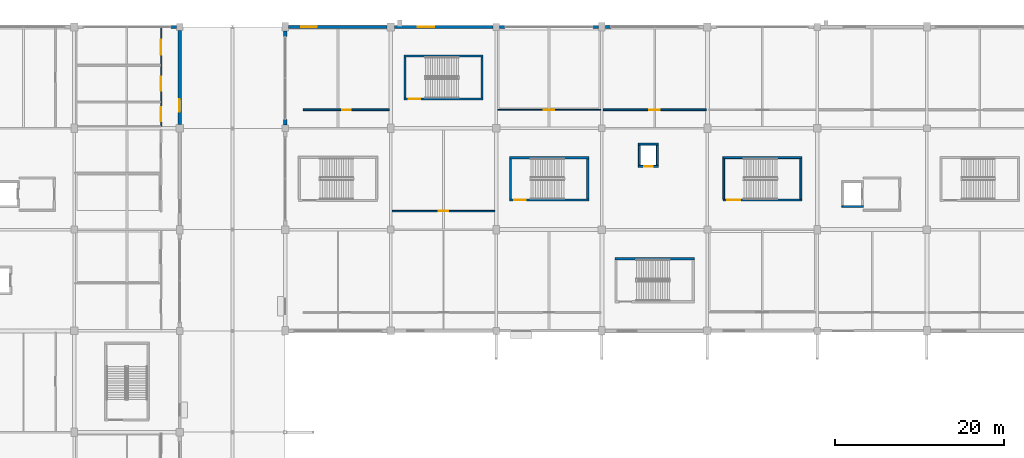
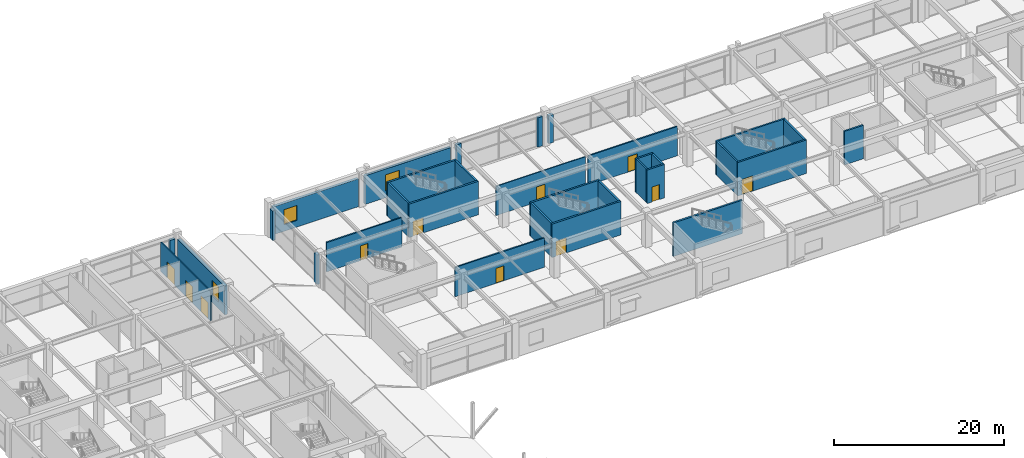
# One storey, part 80 of 116: 32 walls, 11 doors, 3 windows, 14 openings.
"""IFC4 building model written with IfcOpenShell, lengths in metres."""

import ifcopenshell
import ifcopenshell.guid

model = None  # the IFC model being written
_history = None  # IfcOwnerHistory: only IFC2X3 demands one
_inside = {}  # id of a spatial element -> (the spatial element, [elements in it])
_under = {}  # id of a project, library or spatial element -> (it, [spatial elements below it])
_declared = {}  # id of a project -> (the project, [libraries it declares])
_typed = {}  # id of a type object -> (the type object, [elements of that type])
_made_of = {}  # id of a material, layer set ... -> (it, [elements and type objects made of it])


def new_model(schema):
    """Start an empty IFC model of exactly this schema.

    Asked for "IFC4X3", IfcOpenShell would pick the latest addendum, in which some entities
    have other attributes; the version numbers below select the first issue.
    IFC2X3 requires an IfcOwnerHistory on every rooted entity: one is made here for all.
    """
    global model, _history
    if schema == "IFC4X3":
        model = ifcopenshell.file(schema_version=(4, 3, 0, 0))
    else:
        model = ifcopenshell.file(schema=schema)
    _inside.clear()
    _under.clear()
    _declared.clear()
    _typed.clear()
    _made_of.clear()
    _history = None
    if model.schema == "IFC2X3":
        org = make("IfcOrganization", Name="unknown")
        user = make(
            "IfcPersonAndOrganization",
            ThePerson=make("IfcPerson", FamilyName="unknown"),
            TheOrganization=org,
        )
        app = make(
            "IfcApplication",
            ApplicationDeveloper=org,
            Version="unknown",
            ApplicationFullName="unknown",
            ApplicationIdentifier="unknown",
        )
        _history = make(
            "IfcOwnerHistory",
            OwningUser=user,
            OwningApplication=app,
            ChangeAction="ADDED",
            CreationDate=0,
        )
    return model


def make(cls, **values):
    """One entity of the class cls with the attributes given. An attribute that is None is left unset."""
    return model.create_entity(
        cls, **{name: value for name, value in values.items() if value is not None}
    )


def rooted(cls, **values):
    """An entity with a GlobalId (a new one), such as an element, a storey or a relation."""
    return make(cls, GlobalId=ifcopenshell.guid.new(), OwnerHistory=_history, **values)


def si_unit(unit_type, name, prefix=None):
    """IfcSIUnit, for example si_unit("LENGTHUNIT", "METRE", prefix="MILLI")."""
    return make("IfcSIUnit", UnitType=unit_type, Prefix=prefix, Name=name)


def assignment(units):
    """IfcUnitAssignment: the units of a project."""
    return None if units is None else make("IfcUnitAssignment", Units=units)


def point(xyz):
    """IfcCartesianPoint."""
    return None if xyz is None else make("IfcCartesianPoint", Coordinates=xyz)


def direction(xyz):
    """IfcDirection."""
    return None if xyz is None else make("IfcDirection", DirectionRatios=xyz)


def frame(location, z_axis=None, x_axis=None):
    """IfcAxis2Placement3D, a coordinate frame: its origin and axes. An axis left out is left unset."""
    return make(
        "IfcAxis2Placement3D",
        Location=point(location),
        Axis=direction(z_axis),
        RefDirection=direction(x_axis),
    )


def frame_2d(location, x_axis=None):
    """IfcAxis2Placement2D, a coordinate frame in the plane: its origin and x axis."""
    return make(
        "IfcAxis2Placement2D", Location=point(location), RefDirection=direction(x_axis)
    )


def origin():
    """The frame at (0, 0, 0) with its axes left unset."""
    return frame((0.0, 0.0, 0.0))


def place(relative_to, where):
    """IfcLocalPlacement: puts the frame where relative to a parent placement (None: the world)."""
    return make(
        "IfcLocalPlacement", PlacementRelTo=relative_to, RelativePlacement=where
    )


def context(
    kind, dimensions, precision=None, world=None, true_north=None, identifier=None
):
    """IfcGeometricRepresentationContext, for example the 3D "Model" context."""
    return make(
        "IfcGeometricRepresentationContext",
        ContextIdentifier=identifier,
        ContextType=kind,
        CoordinateSpaceDimension=dimensions,
        Precision=precision,
        WorldCoordinateSystem=world,
        TrueNorth=true_north,
    )


def subcontext(parent, identifier, kind, view, scale=None):
    """IfcGeometricRepresentationSubContext, for example "Body" below "Model"."""
    return make(
        "IfcGeometricRepresentationSubContext",
        ContextIdentifier=identifier,
        ContextType=kind,
        ParentContext=parent,
        TargetScale=scale,
        TargetView=view,
    )


def project(units=None, contexts=None):
    """IfcProject with its units and contexts."""
    return rooted(
        "IfcProject",
        Name="project",
        RepresentationContexts=contexts,
        UnitsInContext=assignment(units),
    )


def spatial(cls, under=None, at=None, **own):
    """A site, building, storey or space (cls), placed at a placement, below another one or the project."""
    s = rooted(cls, ObjectPlacement=at, **own)
    if under is not None:
        _under.setdefault(under.id(), (under, []))[1].append(s)
    return s


def profile(cls, at=None, kind="AREA", **sizes):
    """A parametric profile (cls). Its sizes go by their IFC names, for example OverallWidth=200.0."""
    return make(cls, ProfileType=kind, Position=at, **sizes)


def rectangle(**sizes):
    """IfcRectangleProfileDef."""
    return profile("IfcRectangleProfileDef", **sizes)


def extrude(swept, where, along, depth):
    """IfcExtrudedAreaSolid: the profile swept, set in the frame where, extruded along a direction by depth."""
    return make(
        "IfcExtrudedAreaSolid",
        SweptArea=swept,
        Position=where,
        ExtrudedDirection=direction(along),
        Depth=depth,
    )


def shape(context_of_items, identifier, shape_type, items):
    """IfcShapeRepresentation: the items that make up one representation, for example the "Body"."""
    return make(
        "IfcShapeRepresentation",
        ContextOfItems=context_of_items,
        RepresentationIdentifier=identifier,
        RepresentationType=shape_type,
        Items=items,
    )


def material(Name=None, Category=None):
    """IfcMaterial."""
    return make("IfcMaterial", Name=Name, Category=Category)


def layer(
    of_material, thickness, ventilated=None, Name=None, Category=None, Priority=None
):
    """IfcMaterialLayer: one layer of a wall or slab, of a material (None: an air gap)."""
    return make(
        "IfcMaterialLayer",
        Material=of_material,
        LayerThickness=thickness,
        IsVentilated=ventilated,
        Name=Name,
        Category=Category,
        Priority=Priority,
    )


def layer_set(layers, Name=None):
    """IfcMaterialLayerSet."""
    return make("IfcMaterialLayerSet", MaterialLayers=layers, LayerSetName=Name)


def made_of(thing, what):
    """Note that an element or type object is made of a material, layer set ...; save() writes the relation."""
    if what is not None:
        _made_of.setdefault(what.id(), (what, []))[1].append(thing)
    return thing


def type_object(cls, material=None, **own):
    """A type object (cls), such as IfcWallType, which elements share."""
    return made_of(rooted(cls, **own), material)


def element(
    cls,
    number,
    at=None,
    inside=None,
    cuts=None,
    type_object=None,
    material=None,
    context=None,
    identifier="Body",
    shape_type=None,
    held_by="IfcProductDefinitionShape",
    body=None,
    shapes=None,
    **own,
):
    """One element of the class cls, such as IfcWall. Its Tag is "e" and its number.

    at: its placement. inside: the storey or other place that contains it. cuts: it is an
    opening in that element (IfcRelVoidsElement). A single representation is given by context,
    identifier, shape_type and body (its items); several are given by shapes. held_by: the class
    of the entity that holds the representations. save() writes the other relations.
    """
    e = rooted(cls, Tag="e%d" % number, ObjectPlacement=at, **own)
    if body is not None:
        shapes = [shape(context, identifier, shape_type, body)]
    if shapes is not None:
        e.Representation = make(held_by, Representations=shapes)
    if inside is not None:
        _inside.setdefault(inside.id(), (inside, []))[1].append(e)
    if cuts is not None:
        rooted(
            "IfcRelVoidsElement", RelatingBuildingElement=cuts, RelatedOpeningElement=e
        )
    if type_object is not None:
        _typed.setdefault(type_object.id(), (type_object, []))[1].append(e)
    return made_of(e, material)


def fill(opening, filler):
    """IfcRelFillsElement: the door or window that sits in an opening."""
    return rooted(
        "IfcRelFillsElement",
        RelatingOpeningElement=opening,
        RelatedBuildingElement=filler,
    )


def aggregate(whole, parts):
    """IfcRelAggregates: a whole, such as a stair, and the parts it consists of."""
    return rooted("IfcRelAggregates", RelatingObject=whole, RelatedObjects=parts)


def save(model, path):
    """Write the relations noted so far, then the file.

    IfcRelAggregates (storeys below a building ...), IfcRelContainedInSpatialStructure (elements
    in a storey), IfcRelDefinesByType, IfcRelAssociatesMaterial and IfcRelDeclares: one each for
    every whole, place, type object, material and project.
    """
    for whole, parts in _under.values():
        aggregate(whole, parts)
    for where, things in _inside.values():
        rooted(
            "IfcRelContainedInSpatialStructure",
            RelatedElements=things,
            RelatingStructure=where,
        )
    for kind, things in _typed.values():
        rooted("IfcRelDefinesByType", RelatedObjects=things, RelatingType=kind)
    for what, things in _made_of.values():
        rooted("IfcRelAssociatesMaterial", RelatedObjects=things, RelatingMaterial=what)
    for by, libraries in _declared.values():
        rooted("IfcRelDeclares", RelatingContext=by, RelatedDefinitions=libraries)
    model.write(path)


model = new_model("IFC4")

# Units and contexts
model_context = context("Model", 3, precision=1e-05, world=origin(), true_north=direction((0.0, 1.0)))
body_context = subcontext(model_context, "Body", "Model", "MODEL_VIEW")
ifc_project = project(units=[si_unit("LENGTHUNIT", "METRE"), si_unit("AREAUNIT", "SQUARE_METRE"), si_unit("VOLUMEUNIT", "CUBIC_METRE"), si_unit("PLANEANGLEUNIT", "RADIAN"), si_unit("MASSUNIT", "GRAM", prefix="KILO")], contexts=[model_context])

# Site, building, storey
site_placement = place(None, origin())
site = spatial("IfcSite", under=ifc_project, at=site_placement, CompositionType="ELEMENT")
building_placement = place(site_placement, origin())
building = spatial("IfcBuilding", under=site, at=building_placement, Name="Kazenohara Klinker Stadium", CompositionType="ELEMENT")
storey_placement = place(building_placement, frame((0.0, 0.0, 10.199951171875)))
storey = spatial("IfcBuildingStorey", under=building, at=storey_placement, Name="L02", CompositionType="ELEMENT", Elevation=10.199951171875)

# Wall, opening, door
ifc_material_1 = material(Name="Concrete C40/50", Category="concrete")
ifc_layer_1 = layer(ifc_material_1, 0.22998046875)
ifc_layer_set_1 = layer_set([ifc_layer_1], Name="Concrete C40/50")
wall_type_1 = type_object("IfcWallType", Name="WAL-CORE-230", PredefinedType="SHEAR", material=ifc_layer_set_1)
wall_1_placement = place(storey_placement, frame((100.820068359375, 147.485107421875, 0.0), z_axis=(0.0, 0.0, 1.0), x_axis=(1.0, 0.0, 0.0)))
wall_1 = element("IfcWall", 1, at=wall_1_placement, inside=storey, type_object=wall_type_1, Name="Stairwell shear wall ST10 L02 South", PredefinedType="SHEAR", context=body_context, shape_type="SweptSolid", body=[
    extrude(rectangle(XDim=9.35986328125, YDim=0.22998046875, at=frame_2d((4.679931640625, 0.0))), origin(), (0.0, 0.0, 1.0), 4.820068359375),
])
opening_1_placement = place(wall_1_placement, frame((0.550048828125, 0.0, 0.0)))
opening_1 = element("IfcOpeningElement", 2, at=opening_1_placement, cuts=wall_1, Name="Opening SD02", PredefinedType="OPENING", context=body_context, shape_type="SweptSolid", body=[
    extrude(rectangle(XDim=1.5, YDim=2.199951171875, at=frame_2d((0.75, 1.10009765625))), frame((0.0, 0.125, 0.0), z_axis=(0.0, -1.0, 0.0), x_axis=(1.0, 0.0, 0.0)), (0.0, 0.0, 1.0), 0.25),
])
ifc_material_2 = material(Name="Flush painted steel fire door leaf", Category="steel")
door_type_1 = type_object("IfcDoorType", Name="DR-STR-1500x2200", OperationType="NOTDEFINED", PredefinedType="DOOR", material=ifc_material_2)
door_1_placement = place(opening_1_placement, origin())
door_1 = element("IfcDoor", 3, at=door_1_placement, inside=storey, type_object=door_type_1, Name="Escape stairwell fire door ST10-L02", OperationType="SINGLE_SWING_LEFT", OverallHeight=2.199951171875, OverallWidth=1.5, PredefinedType="DOOR", context=body_context, shape_type="SweptSolid", body=[
    extrude(rectangle(XDim=1.5, YDim=2.199951171875, at=frame_2d((0.75, 1.10009765625))), frame((0.0, 0.02490234375, 0.0), z_axis=(0.0, -1.0, 0.0), x_axis=(1.0, 0.0, 0.0)), (0.0, 0.0, 1.0), 0.050048828125),
])
fill(opening_1, door_1)

# Walls
wall_2_placement = place(storey_placement, frame((100.820068359375, 152.514892578125, 0.0), z_axis=(0.0, 0.0, 1.0), x_axis=(1.0, 0.0, 0.0)))
element("IfcWall", 4, at=wall_2_placement, inside=storey, type_object=wall_type_1, Name="Stairwell shear wall ST10 L02 North", PredefinedType="SHEAR", context=body_context, shape_type="SweptSolid", body=[
    extrude(rectangle(XDim=9.35986328125, YDim=0.22998046875, at=frame_2d((4.679931640625, 0.0))), origin(), (0.0, 0.0, 1.0), 4.820068359375),
])
for number, where, z_axis, x_axis, name in (
    (5, (100.93505859375, 147.60009765625, 0.0), (0.0, 0.0, 1.0), (0.0, 1.0, 0.0), "Stairwell shear wall ST10 L02 West"),
    (6, (110.06494140625, 147.60009765625, 0.0), (0.0, 0.0, 1.0), (0.0, 1.0, 0.0), "Stairwell shear wall ST10 L02 East"),
):
    element("IfcWall", number, at=place(storey_placement, frame(where, z_axis=z_axis, x_axis=x_axis)), inside=storey, type_object=wall_type_1, Name=name, PredefinedType="SHEAR", context=body_context, shape_type="SweptSolid", body=[
        extrude(rectangle(XDim=4.7998046875, YDim=0.22998046875, at=frame_2d((2.39990234375, 0.0))), origin(), (0.0, 0.0, 1.0), 4.820068359375),
    ])
wall_3_placement = place(storey_placement, frame((114.919921875, 146.735107421875, 0.0), z_axis=(0.0, 0.0, 1.0), x_axis=(1.0, 0.0, 0.0)))
element("IfcWall", 7, at=wall_3_placement, inside=storey, type_object=wall_type_1, Name="Elevator shaft wall LF04 L02 South", PredefinedType="SHEAR", context=body_context, shape_type="SweptSolid", body=[
    extrude(rectangle(XDim=2.56005859375, YDim=0.22998046875, at=frame_2d((1.280029296875, 0.0))), origin(), (0.0, 0.0, 1.0), 4.820068359375),
])

# Wall, opening, door
wall_4_placement = place(storey_placement, frame((90.820068359375, 151.485107421875, 0.0), z_axis=(0.0, 0.0, 1.0), x_axis=(1.0, 0.0, 0.0)))
wall_4 = element("IfcWall", 8, at=wall_4_placement, inside=storey, type_object=wall_type_1, Name="Elevator shaft wall LP04 L02 South", PredefinedType="SHEAR", context=body_context, shape_type="SweptSolid", body=[
    extrude(rectangle(XDim=2.35986328125, YDim=0.22998046875, at=frame_2d((1.179931640625, 0.0))), origin(), (0.0, 0.0, 1.0), 4.820068359375),
])
opening_2_placement = place(wall_4_placement, frame((0.679931640625, 0.0, 0.0)))
opening_2 = element("IfcOpeningElement", 9, at=opening_2_placement, cuts=wall_4, Name="Opening LD02", PredefinedType="OPENING", context=body_context, shape_type="SweptSolid", body=[
    extrude(rectangle(XDim=1.0, YDim=2.14990234375, at=frame_2d((0.5, 1.074951171875))), frame((0.0, 0.125, 0.0), z_axis=(0.0, -1.0, 0.0), x_axis=(1.0, 0.0, 0.0)), (0.0, 0.0, 1.0), 0.25),
])
ifc_material_3 = material(Name="Stainless steel sliding landing door", Category="steel")
door_type_2 = type_object("IfcDoorType", Name="DR-LD02-1000x2150", OperationType="NOTDEFINED", PredefinedType="DOOR", material=ifc_material_3)
door_2_placement = place(opening_2_placement, origin())
door_2 = element("IfcDoor", 10, at=door_2_placement, inside=storey, type_object=door_type_2, Name="Elevator sliding landing door LP04-L02", OperationType="DOUBLE_DOOR_SLIDING", OverallHeight=2.14990234375, OverallWidth=1.0, PredefinedType="DOOR", context=body_context, shape_type="SweptSolid", body=[
    extrude(rectangle(XDim=1.0, YDim=2.14990234375, at=frame_2d((0.5, 1.074951171875))), frame((0.0, 0.02490234375, 0.0), z_axis=(0.0, -1.0, 0.0), x_axis=(1.0, 0.0, 0.0)), (0.0, 0.0, 1.0), 0.050048828125),
])
fill(opening_2, door_2)

# Walls
wall_5_placement = place(storey_placement, frame((90.820068359375, 154.114990234375, 0.0), z_axis=(0.0, 0.0, 1.0), x_axis=(1.0, 0.0, 0.0)))
element("IfcWall", 11, at=wall_5_placement, inside=storey, type_object=wall_type_1, Name="Elevator shaft wall LP04 L02 North", PredefinedType="SHEAR", context=body_context, shape_type="SweptSolid", body=[
    extrude(rectangle(XDim=2.35986328125, YDim=0.22998046875, at=frame_2d((1.179931640625, 0.0))), origin(), (0.0, 0.0, 1.0), 4.820068359375),
])
for number, where, z_axis, x_axis, name in (
    (12, (90.93505859375, 151.60009765625, 0.0), (0.0, 0.0, 1.0), (0.0, 1.0, 0.0), "Elevator shaft wall LP04 L02 West"),
    (13, (93.06494140625, 151.60009765625, 0.0), (0.0, 0.0, 1.0), (0.0, 1.0, 0.0), "Elevator shaft wall LP04 L02 East"),
):
    element("IfcWall", number, at=place(storey_placement, frame(where, z_axis=z_axis, x_axis=x_axis)), inside=storey, type_object=wall_type_1, Name=name, PredefinedType="SHEAR", context=body_context, shape_type="SweptSolid", body=[
        extrude(rectangle(XDim=2.39990234375, YDim=0.22998046875, at=frame_2d((1.199951171875, 0.0))), origin(), (0.0, 0.0, 1.0), 4.820068359375),
    ])

# Wall, opening, door
ifc_layer_2 = layer(ifc_material_1, 0.25)
ifc_layer_set_2 = layer_set([ifc_layer_2], Name="Concrete C40/50")
wall_type_2 = type_object("IfcWallType", Name="WAL-CORE-250", PredefinedType="SHEAR", material=ifc_layer_set_2)
wall_6_placement = place(storey_placement, frame((75.550048828125, 147.485107421875, 0.0), z_axis=(0.0, 0.0, 1.0), x_axis=(1.0, 0.0, 0.0)))
wall_6 = element("IfcWall", 14, at=wall_6_placement, inside=storey, type_object=wall_type_2, Name="Stairwell shear wall ST09 L02 South", PredefinedType="SHEAR", context=body_context, shape_type="SweptSolid", body=[
    extrude(rectangle(XDim=9.39990234375, YDim=0.25, at=frame_2d((4.699951171875, 0.0))), origin(), (0.0, 0.0, 1.0), 4.820068359375),
])
opening_3_placement = place(wall_6_placement, frame((0.550048828125, 0.0, 0.0)))
opening_3 = element("IfcOpeningElement", 15, at=opening_3_placement, cuts=wall_6, Name="Opening SD01", PredefinedType="OPENING", context=body_context, shape_type="SweptSolid", body=[
    extrude(rectangle(XDim=1.39990234375, YDim=2.14990234375, at=frame_2d((0.699951171875, 1.074951171875))), frame((0.0, 0.135009765625, 0.0), z_axis=(0.0, -1.0, 0.0), x_axis=(1.0, 0.0, 0.0)), (0.0, 0.0, 1.0), 0.27001953125),
])
door_type_3 = type_object("IfcDoorType", Name="DR-STR-1400x2150", OperationType="NOTDEFINED", PredefinedType="DOOR", material=ifc_material_2)
door_3_placement = place(opening_3_placement, origin())
door_3 = element("IfcDoor", 16, at=door_3_placement, inside=storey, type_object=door_type_3, Name="Escape stairwell fire door ST09-L02", OperationType="SINGLE_SWING_RIGHT", OverallHeight=2.14990234375, OverallWidth=1.39990234375, PredefinedType="DOOR", context=body_context, shape_type="SweptSolid", body=[
    extrude(rectangle(XDim=1.39990234375, YDim=2.14990234375, at=frame_2d((0.699951171875, 1.074951171875))), frame((0.0, 0.02490234375, 0.0), z_axis=(0.0, -1.0, 0.0), x_axis=(1.0, 0.0, 0.0)), (0.0, 0.0, 1.0), 0.050048828125),
])
fill(opening_3, door_3)

# Walls
wall_7_placement = place(storey_placement, frame((75.550048828125, 152.514892578125, 0.0), z_axis=(0.0, 0.0, 1.0), x_axis=(1.0, 0.0, 0.0)))
element("IfcWall", 17, at=wall_7_placement, inside=storey, type_object=wall_type_2, Name="Stairwell shear wall ST09 L02 North", PredefinedType="SHEAR", context=body_context, shape_type="SweptSolid", body=[
    extrude(rectangle(XDim=9.39990234375, YDim=0.25, at=frame_2d((4.699951171875, 0.0))), origin(), (0.0, 0.0, 1.0), 4.820068359375),
])
for number, where, z_axis, x_axis, name in (
    (18, (75.675048828125, 147.610107421875, 0.0), (0.0, 0.0, 1.0), (0.0, 1.0, 0.0), "Stairwell shear wall ST09 L02 West"),
    (19, (84.824951171875, 147.610107421875, 0.0), (0.0, 0.0, 1.0), (0.0, 1.0, 0.0), "Stairwell shear wall ST09 L02 East"),
):
    element("IfcWall", number, at=place(storey_placement, frame(where, z_axis=z_axis, x_axis=x_axis)), inside=storey, type_object=wall_type_2, Name=name, PredefinedType="SHEAR", context=body_context, shape_type="SweptSolid", body=[
        extrude(rectangle(XDim=4.77978515625, YDim=0.25, at=frame_2d((2.389892578125, 0.0))), origin(), (0.0, 0.0, 1.0), 4.820068359375),
    ])

# Wall, opening, door
wall_8_placement = place(storey_placement, frame((63.050048828125, 159.455078125, 0.0), z_axis=(0.0, 0.0, 1.0), x_axis=(1.0, 0.0, 0.0)))
wall_8 = element("IfcWall", 20, at=wall_8_placement, inside=storey, type_object=wall_type_2, Name="Stairwell shear wall ST15 L02 South", PredefinedType="SHEAR", context=body_context, shape_type="SweptSolid", body=[
    extrude(rectangle(XDim=9.39990234375, YDim=0.25, at=frame_2d((4.699951171875, 0.0))), origin(), (0.0, 0.0, 1.0), 4.820068359375),
])
opening_4_placement = place(wall_8_placement, frame((0.550048828125, 0.0, 0.0)))
opening_4 = element("IfcOpeningElement", 21, at=opening_4_placement, cuts=wall_8, Name="Opening SD01", PredefinedType="OPENING", context=body_context, shape_type="SweptSolid", body=[
    extrude(rectangle(XDim=1.39990234375, YDim=2.14990234375, at=frame_2d((0.699951171875, 1.074951171875))), frame((0.0, 0.135009765625, 0.0), z_axis=(0.0, -1.0, 0.0), x_axis=(1.0, 0.0, 0.0)), (0.0, 0.0, 1.0), 0.27001953125),
])
door_4_placement = place(opening_4_placement, origin())
door_4 = element("IfcDoor", 22, at=door_4_placement, inside=storey, type_object=door_type_3, Name="Escape stairwell fire door ST15-L02", OperationType="SINGLE_SWING_LEFT", OverallHeight=2.14990234375, OverallWidth=1.39990234375, PredefinedType="DOOR", context=body_context, shape_type="SweptSolid", body=[
    extrude(rectangle(XDim=1.39990234375, YDim=2.14990234375, at=frame_2d((0.699951171875, 1.074951171875))), frame((0.0, 0.02490234375, 0.0), z_axis=(0.0, -1.0, 0.0), x_axis=(1.0, 0.0, 0.0)), (0.0, 0.0, 1.0), 0.050048828125),
])
fill(opening_4, door_4)

# Walls
wall_9_placement = place(storey_placement, frame((63.050048828125, 164.544921875, 0.0), z_axis=(0.0, 0.0, 1.0), x_axis=(1.0, 0.0, 0.0)))
element("IfcWall", 23, at=wall_9_placement, inside=storey, type_object=wall_type_2, Name="Stairwell shear wall ST15 L02 North", PredefinedType="SHEAR", context=body_context, shape_type="SweptSolid", body=[
    extrude(rectangle(XDim=9.39990234375, YDim=0.25, at=frame_2d((4.699951171875, 0.0))), origin(), (0.0, 0.0, 1.0), 4.820068359375),
])
for number, where, z_axis, x_axis, name in (
    (24, (63.175048828125, 159.580078125, 0.0), (0.0, 0.0, 1.0), (0.0, 1.0, 0.0), "Stairwell shear wall ST15 L02 West"),
    (25, (72.324951171875, 159.580078125, 0.0), (0.0, 0.0, 1.0), (0.0, 1.0, 0.0), "Stairwell shear wall ST15 L02 East"),
):
    element("IfcWall", number, at=place(storey_placement, frame(where, z_axis=z_axis, x_axis=x_axis)), inside=storey, type_object=wall_type_2, Name=name, PredefinedType="SHEAR", context=body_context, shape_type="SweptSolid", body=[
        extrude(rectangle(XDim=4.83984375, YDim=0.25, at=frame_2d((2.419921875, 0.0))), origin(), (0.0, 0.0, 1.0), 4.820068359375),
    ])
wall_10_placement = place(storey_placement, frame((88.050048828125, 140.544921875, 0.0), z_axis=(0.0, 0.0, 1.0), x_axis=(1.0, 0.0, 0.0)))
element("IfcWall", 26, at=wall_10_placement, inside=storey, type_object=wall_type_2, Name="Stairwell shear wall ST19 L02 North", PredefinedType="SHEAR", context=body_context, shape_type="SweptSolid", body=[
    extrude(rectangle(XDim=9.39990234375, YDim=0.25, at=frame_2d((4.699951171875, 0.0))), origin(), (0.0, 0.0, 1.0), 4.820068359375),
])

# Wall, opening, window
ifc_material_4 = material(Name="Clinker brick masonry", Category="masonry")
ifc_layer_3 = layer(ifc_material_4, 0.340087890625)
ifc_layer_set_3 = layer_set([ifc_layer_3], Name="Clinker brick masonry")
wall_type_3 = type_object("IfcWallType", Name="WAL-EXT-CB340", PredefinedType="SOLIDWALL", material=ifc_layer_set_3)
wall_11_placement = place(storey_placement, frame((49.404052734375, 168.0, 0.0), z_axis=(0.0, 0.0, 1.0), x_axis=(1.0, 0.0, 0.0)))
wall_11 = element("IfcWall", 27, at=wall_11_placement, inside=storey, type_object=wall_type_3, Name="Clinker brick cavity wall EW04 L02 X4-14", PredefinedType="SOLIDWALL", context=body_context, shape_type="SweptSolid", body=[
    extrude(rectangle(XDim=11.641845703125, YDim=0.340087890625, at=frame_2d((5.82080078125, 0.0))), origin(), (0.0, 0.0, 1.0), 4.02001953125),
])
opening_5_placement = place(wall_11_placement, frame((1.5, 0.0, 0.949951171875)))
opening_5 = element("IfcOpeningElement", 28, at=opening_5_placement, cuts=wall_11, Name="Opening W14", PredefinedType="OPENING", context=body_context, shape_type="SweptSolid", body=[
    extrude(rectangle(XDim=1.800048828125, YDim=2.14990234375, at=frame_2d((0.89990234375, 1.074951171875))), frame((0.0, 0.18017578125, 0.0), z_axis=(0.0, -1.0, 0.0), x_axis=(1.0, 0.0, 0.0)), (0.0, 0.0, 1.0), 0.360107421875),
])
ifc_material_5 = material(Name="Dark bronze aluminium frame and triple glazing", Category="aluminium")
window_type_1 = type_object("IfcWindowType", Name="WIN-AS-14", PartitioningType="SINGLE_PANEL", PredefinedType="WINDOW", material=ifc_material_5)
window_1_placement = place(opening_5_placement, origin())
window_1 = element("IfcWindow", 29, at=window_1_placement, inside=storey, type_object=window_type_1, Name="Horizontal-mullion ladder window W14 L02 X4-14", OverallHeight=2.14990234375, OverallWidth=1.800048828125, PartitioningType="SINGLE_PANEL", PredefinedType="WINDOW", context=body_context, shape_type="SweptSolid", body=[
    extrude(rectangle(XDim=1.800048828125, YDim=2.14990234375, at=frame_2d((0.89990234375, 1.074951171875))), frame((0.0, 0.030029296875, 0.0), z_axis=(0.0, -1.0, 0.0), x_axis=(1.0, 0.0, 0.0)), (0.0, 0.0, 1.0), 0.06005859375),
])
fill(opening_5, window_1)

# Walls
ifc_layer_4 = layer(ifc_material_4, 0.3701171875)
ifc_layer_set_4 = layer_set([ifc_layer_4], Name="Clinker brick masonry")
wall_type_4 = type_object("IfcWallType", Name="WAL-EXT-CB370", PredefinedType="SOLIDWALL", material=ifc_layer_set_4)
wall_12_placement = place(storey_placement, frame((35.446044921875, 168.0, 0.0), z_axis=(0.0, 0.0, 1.0), x_axis=(1.0, 0.0, 0.0)))
element("IfcWall", 30, at=wall_12_placement, inside=storey, type_object=wall_type_4, Name="Clinker brick curtain-wall jamb pier L02 X2-14 B", PredefinedType="SOLIDWALL", context=body_context, shape_type="SweptSolid", body=[
    extrude(rectangle(XDim=0.64990234375, YDim=0.3701171875, at=frame_2d((0.324951171875, 0.0))), origin(), (0.0, 0.0, 1.0), 4.1201171875),
])
wall_13_placement = place(storey_placement, frame((49.0, 156.404052734375, 0.0), z_axis=(0.0, 0.0, 1.0), x_axis=(0.0, 1.0, 0.0)))
element("IfcWall", 31, at=wall_13_placement, inside=storey, type_object=wall_type_4, Name="Clinker brick curtain-wall jamb pier L02 Y4-13 A", PredefinedType="SOLIDWALL", context=body_context, shape_type="SweptSolid", body=[
    extrude(rectangle(XDim=0.64990234375, YDim=0.3701171875, at=frame_2d((0.324951171875, 0.0))), origin(), (0.0, 0.0, 1.0), 4.23193359375),
])
wall_14_placement = place(storey_placement, frame((49.0, 166.845947265625, 0.0), z_axis=(0.0, 0.0, 1.0), x_axis=(0.0, 1.0, 0.0)))
element("IfcWall", 32, at=wall_14_placement, inside=storey, type_object=wall_type_4, Name="Clinker brick curtain-wall jamb pier L02 Y4-13 B", PredefinedType="SOLIDWALL", context=body_context, shape_type="SweptSolid", body=[
    extrude(rectangle(XDim=0.650146484375, YDim=0.3701171875, at=frame_2d((0.3251953125, 0.0))), origin(), (0.0, 0.0, 1.0), 4.23193359375),
])

# Wall, opening, window
wall_15_placement = place(storey_placement, frame((61.9541015625, 168.0, 0.0), z_axis=(0.0, 0.0, 1.0), x_axis=(1.0, 0.0, 0.0)))
wall_15 = element("IfcWall", 33, at=wall_15_placement, inside=storey, type_object=wall_type_4, Name="Clinker brick cavity wall EW03 L02 X5-14", PredefinedType="SOLIDWALL", context=body_context, shape_type="SweptSolid", body=[
    extrude(rectangle(XDim=11.641845703125, YDim=0.3701171875, at=frame_2d((5.82080078125, 0.0))), origin(), (0.0, 0.0, 1.0), 4.1201171875),
])
opening_6_placement = place(wall_15_placement, frame((2.75, 0.0, 0.949951171875)))
opening_6 = element("IfcOpeningElement", 34, at=opening_6_placement, cuts=wall_15, Name="Opening W17", PredefinedType="OPENING", context=body_context, shape_type="SweptSolid", body=[
    extrude(rectangle(XDim=1.949951171875, YDim=2.35009765625, at=frame_2d((0.97509765625, 1.175048828125))), frame((0.0, 0.195068359375, 0.0), z_axis=(0.0, -1.0, 0.0), x_axis=(1.0, 0.0, 0.0)), (0.0, 0.0, 1.0), 0.39013671875),
])
window_type_2 = type_object("IfcWindowType", Name="WIN-AS-17", PartitioningType="SINGLE_PANEL", PredefinedType="WINDOW", material=ifc_material_5)
window_2_placement = place(opening_6_placement, origin())
window_2 = element("IfcWindow", 35, at=window_2_placement, inside=storey, type_object=window_type_2, Name="Horizontal-mullion ladder window W17 L02 X5-14", OverallHeight=2.35009765625, OverallWidth=1.949951171875, PartitioningType="SINGLE_PANEL", PredefinedType="WINDOW", context=body_context, shape_type="SweptSolid", body=[
    extrude(rectangle(XDim=1.949951171875, YDim=2.35009765625, at=frame_2d((0.97509765625, 1.175048828125))), frame((0.0, 0.030029296875, 0.0), z_axis=(0.0, -1.0, 0.0), x_axis=(1.0, 0.0, 0.0)), (0.0, 0.0, 1.0), 0.06005859375),
])
fill(opening_6, window_2)

# Walls
for number, where, z_axis, x_axis, name in (
    (36, (74.404052734375, 168.0, 0.0), (0.0, 0.0, 1.0), (1.0, 0.0, 0.0), "Clinker brick curtain-wall jamb pier L02 X6-14 A"),
    (37, (85.446044921875, 168.0, 0.0), (0.0, 0.0, 1.0), (1.0, 0.0, 0.0), "Clinker brick curtain-wall jamb pier L02 X6-14 B"),
):
    element("IfcWall", number, at=place(storey_placement, frame(where, z_axis=z_axis, x_axis=x_axis)), inside=storey, type_object=wall_type_4, Name=name, PredefinedType="SOLIDWALL", context=body_context, shape_type="SweptSolid", body=[
        extrude(rectangle(XDim=0.64990234375, YDim=0.3701171875, at=frame_2d((0.324951171875, 0.0))), origin(), (0.0, 0.0, 1.0), 4.219970703125),
    ])
wall_16_placement = place(storey_placement, frame((86.904052734375, 168.0, 0.0), z_axis=(0.0, 0.0, 1.0), x_axis=(1.0, 0.0, 0.0)))
element("IfcWall", 38, at=wall_16_placement, inside=storey, type_object=wall_type_4, Name="Clinker brick curtain-wall jamb pier L02 X7-14 A", PredefinedType="SOLIDWALL", context=body_context, shape_type="SweptSolid", body=[
    extrude(rectangle(XDim=0.64990234375, YDim=0.3701171875, at=frame_2d((0.324951171875, 0.0))), origin(), (0.0, 0.0, 1.0), 4.02001953125),
])

# Wall, opening, window
ifc_layer_5 = layer(ifc_material_4, 0.409912109375)
ifc_layer_set_5 = layer_set([ifc_layer_5], Name="Clinker brick masonry")
wall_type_5 = type_object("IfcWallType", Name="WAL-EXT-CB410", PredefinedType="SOLIDWALL", material=ifc_layer_set_5)
wall_17_placement = place(storey_placement, frame((36.5, 156.4541015625, 0.0), z_axis=(0.0, 0.0, 1.0), x_axis=(0.0, 1.0, 0.0)))
wall_17 = element("IfcWall", 39, at=wall_17_placement, inside=storey, type_object=wall_type_5, Name="Clinker brick cavity wall EW02 L02 Y3-13", PredefinedType="SOLIDWALL", context=body_context, shape_type="SweptSolid", body=[
    extrude(rectangle(XDim=11.141845703125, YDim=0.409912109375, at=frame_2d((5.57080078125, 0.0))), origin(), (0.0, 0.0, 1.0), 4.1201171875),
])
opening_7_placement = place(wall_17_placement, frame((1.5, 0.0, 0.949951171875)))
opening_7 = element("IfcOpeningElement", 40, at=opening_7_placement, cuts=wall_17, Name="Opening W10", PredefinedType="OPENING", context=body_context, shape_type="SweptSolid", body=[
    extrude(rectangle(XDim=1.5, YDim=2.25, at=frame_2d((0.75, 1.125))), frame((0.0, 0.21484375, 0.0), z_axis=(0.0, -1.0, 0.0), x_axis=(1.0, 0.0, 0.0)), (0.0, 0.0, 1.0), 0.429931640625),
])
window_type_3 = type_object("IfcWindowType", Name="WIN-AS-10", PartitioningType="SINGLE_PANEL", PredefinedType="WINDOW", material=ifc_material_5)
window_3_placement = place(opening_7_placement, origin())
window_3 = element("IfcWindow", 41, at=window_3_placement, inside=storey, type_object=window_type_3, Name="Horizontal-mullion ladder window W10 L02 Y3-13", OverallHeight=2.25, OverallWidth=1.5, PartitioningType="SINGLE_PANEL", PredefinedType="WINDOW", context=body_context, shape_type="SweptSolid", body=[
    extrude(rectangle(XDim=1.5, YDim=2.25, at=frame_2d((0.75, 1.125))), frame((0.0, 0.030029296875, 0.0), z_axis=(0.0, -1.0, 0.0), x_axis=(1.0, 0.0, 0.0)), (0.0, 0.0, 1.0), 0.06005859375),
])
fill(opening_7, window_3)

# Wall, opening, door
ifc_material_6 = material(Name="Fire-rated gypsum board on acoustic studs", Category="gypsum")
ifc_layer_6 = layer(ifc_material_6, 0.1201171875)
ifc_layer_set_6 = layer_set([ifc_layer_6], Name="Fire-rated gypsum board on acoustic studs")
wall_type_6 = type_object("IfcWallType", Name="WAL-INT-P120", PredefinedType="PARTITIONING", material=ifc_layer_set_6)
wall_18_placement = place(storey_placement, frame((74.159912109375, 158.18994140625, 0.0), z_axis=(0.0, 0.0, 1.0), x_axis=(1.0, 0.0, 0.0)))
wall_18 = element("IfcWall", 42, at=wall_18_placement, inside=storey, type_object=wall_type_6, Name="Interior partition wall PT02 SPC-L02-06-13-1-1", PredefinedType="PARTITIONING", context=body_context, shape_type="SweptSolid", body=[
    extrude(rectangle(XDim=12.18017578125, YDim=0.1201171875, at=frame_2d((6.090087890625, 0.0))), origin(), (0.0, 0.0, 1.0), 4.219970703125),
])
opening_8_placement = place(wall_18_placement, frame((5.485107421875, 0.0, 0.0)))
opening_8 = element("IfcOpeningElement", 43, at=opening_8_placement, cuts=wall_18, Name="Opening ID12", PredefinedType="OPENING", context=body_context, shape_type="SweptSolid", body=[
    extrude(rectangle(XDim=1.2099609375, YDim=2.179931640625, at=frame_2d((0.60498046875, 1.08984375))), frame((0.0, 0.070068359375, 0.0), z_axis=(0.0, -1.0, 0.0), x_axis=(1.0, 0.0, 0.0)), (0.0, 0.0, 1.0), 0.14013671875),
])
ifc_material_7 = material(Name="Solid-core Hokkaido oak fire door", Category="wood")
door_type_4 = type_object("IfcDoorType", Name="DR-INT-12", OperationType="NOTDEFINED", PredefinedType="DOOR", material=ifc_material_7)
door_5_placement = place(opening_8_placement, origin())
door_5 = element("IfcDoor", 44, at=door_5_placement, inside=storey, type_object=door_type_4, Name="Interior door ID12 Club Reception Dining Lounge L02-0613A", OperationType="SINGLE_SWING_LEFT", OverallHeight=2.179931640625, OverallWidth=1.2099609375, PredefinedType="DOOR", context=body_context, shape_type="SweptSolid", body=[
    extrude(rectangle(XDim=1.2099609375, YDim=2.179931640625, at=frame_2d((0.60498046875, 1.08984375))), frame((0.0, 0.02490234375, 0.0), z_axis=(0.0, -1.0, 0.0), x_axis=(1.0, 0.0, 0.0)), (0.0, 0.0, 1.0), 0.050048828125),
])
fill(opening_8, door_5)

# Wall, openings, doors
ifc_layer_7 = layer(ifc_material_6, 0.14990234375)
ifc_layer_set_7 = layer_set([ifc_layer_7], Name="Fire-rated gypsum board on acoustic studs")
wall_type_7 = type_object("IfcWallType", Name="WAL-INT-P150", PredefinedType="PARTITIONING", material=ifc_layer_set_7)
wall_19_placement = place(storey_placement, frame((34.31005859375, 156.239990234375, 0.0), z_axis=(0.0, 0.0, 1.0), x_axis=(0.0, 1.0, 0.0)))
wall_19 = element("IfcWall", 45, at=wall_19_placement, inside=storey, type_object=wall_type_7, Name="Interior partition wall PT04 SPC-L02-02-13-1-3", PredefinedType="PARTITIONING", context=body_context, shape_type="SweptSolid", body=[
    extrude(rectangle(XDim=11.736083984375, YDim=0.14990234375, at=frame_2d((5.8681640625, 0.0))), origin(), (0.0, 0.0, 1.0), 4.219970703125),
])
opening_9_placement = place(wall_19_placement, frame((0.615966796875, 0.0, 0.0)))
opening_9 = element("IfcOpeningElement", 46, at=opening_9_placement, cuts=wall_19, Name="Opening ID24", PredefinedType="OPENING", context=body_context, shape_type="SweptSolid", body=[
    extrude(rectangle(XDim=1.64990234375, YDim=2.280029296875, at=frame_2d((0.824951171875, 1.14013671875))), frame((0.0, 0.0849609375, 0.0), z_axis=(0.0, -1.0, 0.0), x_axis=(1.0, 0.0, 0.0)), (0.0, 0.0, 1.0), 0.169921875),
])
opening_10_placement = place(wall_19_placement, frame((4.191650390625, 0.0, 0.0)))
opening_10 = element("IfcOpeningElement", 47, at=opening_10_placement, cuts=wall_19, Name="Opening ID25", PredefinedType="OPENING", context=body_context, shape_type="SweptSolid", body=[
    extrude(rectangle(XDim=1.699951171875, YDim=2.320068359375, at=frame_2d((0.85009765625, 1.16015625))), frame((0.0, 0.0849609375, 0.0), z_axis=(0.0, -1.0, 0.0), x_axis=(1.0, 0.0, 0.0)), (0.0, 0.0, 1.0), 0.169921875),
])
opening_11_placement = place(wall_19_placement, frame((8.48046875, 0.0, 0.0)))
opening_11 = element("IfcOpeningElement", 48, at=opening_11_placement, cuts=wall_19, Name="Opening ID26", PredefinedType="OPENING", context=body_context, shape_type="SweptSolid", body=[
    extrude(rectangle(XDim=1.760009765625, YDim=2.300048828125, at=frame_2d((0.8798828125, 1.14990234375))), frame((0.0, 0.0849609375, 0.0), z_axis=(0.0, -1.0, 0.0), x_axis=(1.0, 0.0, 0.0)), (0.0, 0.0, 1.0), 0.169921875),
])
ifc_material_8 = material(Name="Painted steel plant fire door", Category="steel")
door_type_5 = type_object("IfcDoorType", Name="DR-INT-24", OperationType="NOTDEFINED", PredefinedType="DOOR", material=ifc_material_8)
door_6_placement = place(opening_9_placement, origin())
door_6 = element("IfcDoor", 49, at=door_6_placement, inside=storey, type_object=door_type_5, Name="Interior door ID24 Accessible Water Closet Restroom L02-0213A", OperationType="SINGLE_SWING_LEFT", OverallHeight=2.280029296875, OverallWidth=1.64990234375, PredefinedType="DOOR", context=body_context, shape_type="SweptSolid", body=[
    extrude(rectangle(XDim=1.64990234375, YDim=2.280029296875, at=frame_2d((0.824951171875, 1.14013671875))), frame((0.0, 0.02490234375, 0.0), z_axis=(0.0, -1.0, 0.0), x_axis=(1.0, 0.0, 0.0)), (0.0, 0.0, 1.0), 0.050048828125),
])
fill(opening_9, door_6)
door_type_6 = type_object("IfcDoorType", Name="DR-INT-25", OperationType="NOTDEFINED", PredefinedType="DOOR", material=ifc_material_8)
door_7_placement = place(opening_10_placement, origin())
door_7 = element("IfcDoor", 50, at=door_7_placement, inside=storey, type_object=door_type_6, Name="Interior door ID25 Water Closet Restroom Male L02-0213B", OperationType="SINGLE_SWING_RIGHT", OverallHeight=2.320068359375, OverallWidth=1.699951171875, PredefinedType="DOOR", context=body_context, shape_type="SweptSolid", body=[
    extrude(rectangle(XDim=1.699951171875, YDim=2.320068359375, at=frame_2d((0.85009765625, 1.16015625))), frame((0.0, 0.02490234375, 0.0), z_axis=(0.0, -1.0, 0.0), x_axis=(1.0, 0.0, 0.0)), (0.0, 0.0, 1.0), 0.050048828125),
])
fill(opening_10, door_7)
door_type_7 = type_object("IfcDoorType", Name="DR-INT-26", OperationType="NOTDEFINED", PredefinedType="DOOR", material=ifc_material_8)
door_8_placement = place(opening_11_placement, origin())
door_8 = element("IfcDoor", 51, at=door_8_placement, inside=storey, type_object=door_type_7, Name="Interior door ID26 Water Closet Restroom Female L02-0213C", OperationType="SINGLE_SWING_LEFT", OverallHeight=2.300048828125, OverallWidth=1.760009765625, PredefinedType="DOOR", context=body_context, shape_type="SweptSolid", body=[
    extrude(rectangle(XDim=1.760009765625, YDim=2.300048828125, at=frame_2d((0.8798828125, 1.14990234375))), frame((0.0, 0.02490234375, 0.0), z_axis=(0.0, -1.0, 0.0), x_axis=(1.0, 0.0, 0.0)), (0.0, 0.0, 1.0), 0.050048828125),
])
fill(opening_11, door_8)

# Wall, opening, door
ifc_layer_8 = layer(ifc_material_6, 0.18994140625)
ifc_layer_set_8 = layer_set([ifc_layer_8], Name="Fire-rated gypsum board on acoustic studs")
wall_type_8 = type_object("IfcWallType", Name="WAL-INT-P190", PredefinedType="PARTITIONING", material=ifc_layer_set_8)
wall_20_placement = place(storey_placement, frame((51.1201171875, 158.18994140625, 0.0), z_axis=(0.0, 0.0, 1.0), x_axis=(1.0, 0.0, 0.0)))
wall_20 = element("IfcWall", 52, at=wall_20_placement, inside=storey, type_object=wall_type_8, Name="Interior partition wall PT06 SPC-L02-04-13-1-1", PredefinedType="PARTITIONING", context=body_context, shape_type="SweptSolid", body=[
    extrude(rectangle(XDim=10.219970703125, YDim=0.18994140625, at=frame_2d((5.10986328125, 0.0))), origin(), (0.0, 0.0, 1.0), 4.219970703125),
])
opening_12_placement = place(wall_20_placement, frame((4.610107421875, 0.0, 0.0)))
opening_12 = element("IfcOpeningElement", 53, at=opening_12_placement, cuts=wall_20, Name="Opening ID05", PredefinedType="OPENING", context=body_context, shape_type="SweptSolid", body=[
    extrude(rectangle(XDim=1.0, YDim=2.139892578125, at=frame_2d((0.5, 1.06982421875))), frame((0.0, 0.10498046875, 0.0), z_axis=(0.0, -1.0, 0.0), x_axis=(1.0, 0.0, 0.0)), (0.0, 0.0, 1.0), 0.2099609375),
])
door_type_8 = type_object("IfcDoorType", Name="DR-INT-05", OperationType="NOTDEFINED", PredefinedType="DOOR", material=ifc_material_7)
door_9_placement = place(opening_12_placement, origin())
door_9 = element("IfcDoor", 54, at=door_9_placement, inside=storey, type_object=door_type_8, Name="Interior door ID05 Club Reception Dining Lounge L02-0413A", OperationType="SINGLE_SWING_RIGHT", OverallHeight=2.139892578125, OverallWidth=1.0, PredefinedType="DOOR", context=body_context, shape_type="SweptSolid", body=[
    extrude(rectangle(XDim=1.0, YDim=2.139892578125, at=frame_2d((0.5, 1.06982421875))), frame((0.0, 0.02490234375, 0.0), z_axis=(0.0, -1.0, 0.0), x_axis=(1.0, 0.0, 0.0)), (0.0, 0.0, 1.0), 0.050048828125),
])
fill(opening_12, door_9)

wall_21_placement = place(storey_placement, frame((61.659912109375, 146.18994140625, 0.0), z_axis=(0.0, 0.0, 1.0), x_axis=(1.0, 0.0, 0.0)))
wall_21 = element("IfcWall", 55, at=wall_21_placement, inside=storey, type_object=wall_type_8, Name="Interior partition wall PT06 SPC-L02-05-12-1-1", PredefinedType="PARTITIONING", context=body_context, shape_type="SweptSolid", body=[
    extrude(rectangle(XDim=12.18017578125, YDim=0.18994140625, at=frame_2d((6.090087890625, 0.0))), origin(), (0.0, 0.0, 1.0), 4.219970703125),
])
opening_13_placement = place(wall_21_placement, frame((5.544921875, 0.0, 0.0)))
opening_13 = element("IfcOpeningElement", 56, at=opening_13_placement, cuts=wall_21, Name="Opening ID08", PredefinedType="OPENING", context=body_context, shape_type="SweptSolid", body=[
    extrude(rectangle(XDim=1.090087890625, YDim=2.159912109375, at=frame_2d((0.544921875, 1.080078125))), frame((0.0, 0.10498046875, 0.0), z_axis=(0.0, -1.0, 0.0), x_axis=(1.0, 0.0, 0.0)), (0.0, 0.0, 1.0), 0.2099609375),
])
door_type_9 = type_object("IfcDoorType", Name="DR-INT-08", OperationType="NOTDEFINED", PredefinedType="DOOR", material=ifc_material_7)
door_10_placement = place(opening_13_placement, origin())
door_10 = element("IfcDoor", 57, at=door_10_placement, inside=storey, type_object=door_type_9, Name="Interior door ID08 Corporate Hospitality Viewing Suite L02-0512A", OperationType="SINGLE_SWING_LEFT", OverallHeight=2.159912109375, OverallWidth=1.090087890625, PredefinedType="DOOR", context=body_context, shape_type="SweptSolid", body=[
    extrude(rectangle(XDim=1.090087890625, YDim=2.159912109375, at=frame_2d((0.544921875, 1.080078125))), frame((0.0, 0.02490234375, 0.0), z_axis=(0.0, -1.0, 0.0), x_axis=(1.0, 0.0, 0.0)), (0.0, 0.0, 1.0), 0.050048828125),
])
fill(opening_13, door_10)

wall_22_placement = place(storey_placement, frame((86.659912109375, 158.18994140625, 0.0), z_axis=(0.0, 0.0, 1.0), x_axis=(1.0, 0.0, 0.0)))
wall_22 = element("IfcWall", 58, at=wall_22_placement, inside=storey, type_object=wall_type_8, Name="Interior partition wall PT06 SPC-L02-07-13-1-1", PredefinedType="PARTITIONING", context=body_context, shape_type="SweptSolid", body=[
    extrude(rectangle(XDim=12.18017578125, YDim=0.18994140625, at=frame_2d((6.090087890625, 0.0))), origin(), (0.0, 0.0, 1.0), 4.219970703125),
])
opening_14_placement = place(wall_22_placement, frame((5.455078125, 0.0, 0.0)))
opening_14 = element("IfcOpeningElement", 59, at=opening_14_placement, cuts=wall_22, Name="Opening ID14", PredefinedType="OPENING", context=body_context, shape_type="SweptSolid", body=[
    extrude(rectangle(XDim=1.27001953125, YDim=2.199951171875, at=frame_2d((0.635009765625, 1.10009765625))), frame((0.0, 0.10498046875, 0.0), z_axis=(0.0, -1.0, 0.0), x_axis=(1.0, 0.0, 0.0)), (0.0, 0.0, 1.0), 0.2099609375),
])
door_type_10 = type_object("IfcDoorType", Name="DR-INT-14", OperationType="NOTDEFINED", PredefinedType="DOOR", material=ifc_material_7)
door_11_placement = place(opening_14_placement, origin())
door_11 = element("IfcDoor", 60, at=door_11_placement, inside=storey, type_object=door_type_10, Name="Interior door ID14 Civic Sports Archive Reading Room L02-0713A", OperationType="SINGLE_SWING_LEFT", OverallHeight=2.199951171875, OverallWidth=1.27001953125, PredefinedType="DOOR", context=body_context, shape_type="SweptSolid", body=[
    extrude(rectangle(XDim=1.27001953125, YDim=2.199951171875, at=frame_2d((0.635009765625, 1.10009765625))), frame((0.0, 0.02490234375, 0.0), z_axis=(0.0, -1.0, 0.0), x_axis=(1.0, 0.0, 0.0)), (0.0, 0.0, 1.0), 0.050048828125),
])
fill(opening_14, door_11)

save(model, "model.ifc")
